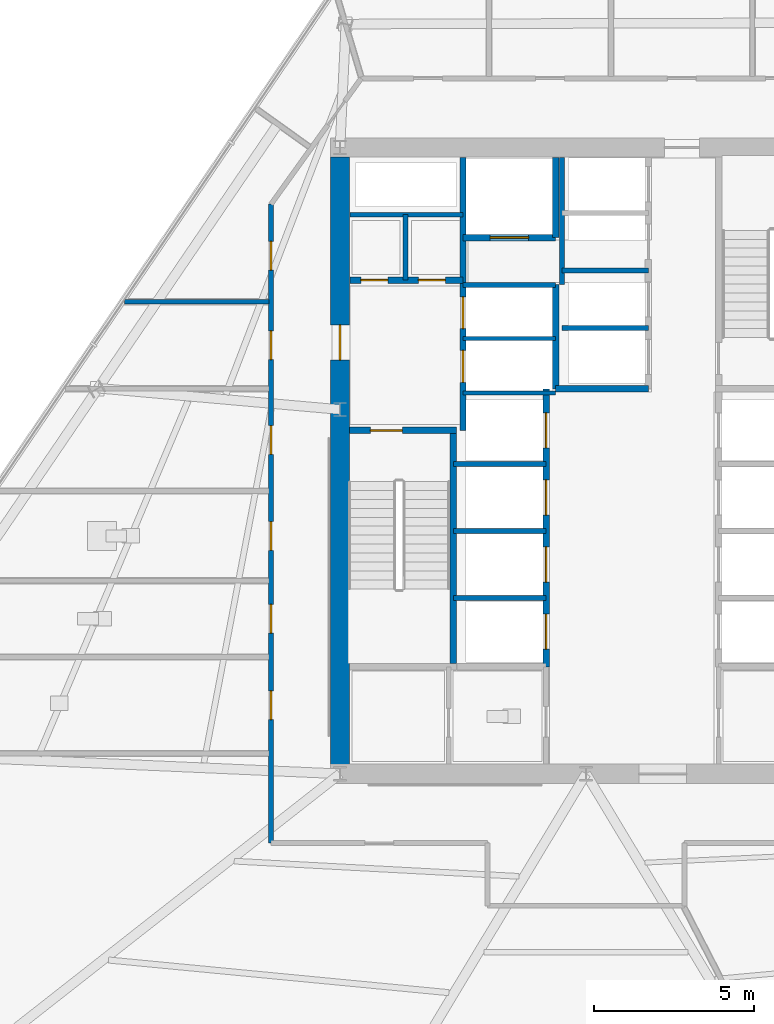
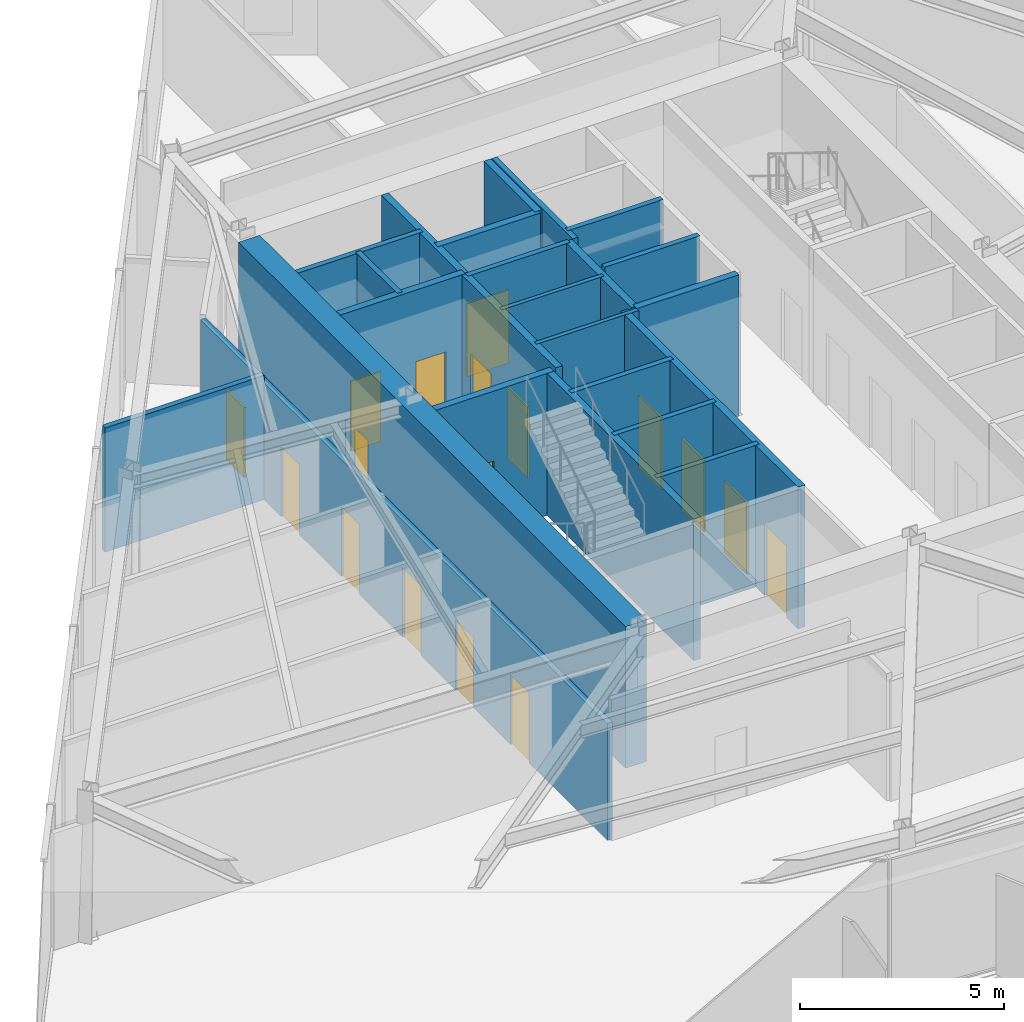
# One storey, part 7 of 14: 23 walls, 17 doors, 17 openings.
"""IFC4 building model written with IfcOpenShell, lengths in metres."""

from ifc_helpers import new_model, si_unit, direction, frame, frame_2d, origin, place, context, subcontext, project, spatial, rectangle, extrude, material, layer, layer_set, type_object, element, fill, save


model = new_model("IFC4")

# Units and contexts
model_context = context("Model", 3, precision=1e-05, world=origin(), true_north=direction((0.0, 1.0)))
body_context = subcontext(model_context, "Body", "Model", "MODEL_VIEW")
ifc_project = project(units=[si_unit("LENGTHUNIT", "METRE"), si_unit("AREAUNIT", "SQUARE_METRE"), si_unit("VOLUMEUNIT", "CUBIC_METRE"), si_unit("PLANEANGLEUNIT", "RADIAN"), si_unit("MASSUNIT", "GRAM", prefix="KILO")], contexts=[model_context])

# Site, building, storey
site_placement = place(None, origin())
site = spatial("IfcSite", under=ifc_project, at=site_placement, CompositionType="ELEMENT")
building_placement = place(site_placement, origin())
building = spatial("IfcBuilding", under=site, at=building_placement, Name="Savorim Split Tower", CompositionType="ELEMENT")
storey_placement = place(building_placement, frame((0.0, 0.0, 78.0)))
storey = spatial("IfcBuildingStorey", under=building, at=storey_placement, Name="L20", CompositionType="ELEMENT", Elevation=78.0)

# Wall, opening, door
ifc_material_1 = material(Name="Concrete C60/75", Category="concrete")
ifc_layer_1 = layer(ifc_material_1, 0.60009765625)
ifc_layer_set_1 = layer_set([ifc_layer_1], Name="WAL-COR-SH600")
wall_type_1 = type_object("IfcWallType", Name="WAL-COR-SH600", PredefinedType="SHEAR", material=ifc_layer_set_1)
wall_1_placement = place(storey_placement, frame((-7.699951171875, -9.10009765625, 0.0), z_axis=(0.0, 0.0, 1.0), x_axis=(0.0, 1.0, 0.0)))
wall_1 = element("IfcWall", 1, at=wall_1_placement, inside=storey, type_object=wall_type_1, Name="L20 Offset Core West Shear Wall", PredefinedType="SHEAR", context=body_context, shape_type="SweptSolid", body=[
    extrude(rectangle(XDim=19.0, YDim=0.60009765625, at=frame_2d((9.5, 0.0))), origin(), (0.0, 0.0, 1.0), 4.25),
])
opening_1_placement = place(wall_1_placement, frame((12.64990234375, 0.0, 0.0)))
opening_1 = element("IfcOpeningElement", 2, at=opening_1_placement, cuts=wall_1, Name="Opening DI-03", PredefinedType="OPENING", context=body_context, shape_type="SweptSolid", body=[
    extrude(rectangle(XDim=1.10009765625, YDim=2.14990234375, at=frame_2d((0.550048828125, 1.074951171875))), frame((0.0, 0.31005859375, 0.0), z_axis=(0.0, -1.0, 0.0), x_axis=(1.0, 0.0, 0.0)), (0.0, 0.0, 1.0), 0.6201171875),
])
ifc_material_2 = material(Name="Timber Fire Door Leaf", Category="wood")
door_type_1 = type_object("IfcDoorType", Name="DOR-FIR-1100", OperationType="NOTDEFINED", PredefinedType="DOOR", material=ifc_material_2)
door_1_placement = place(opening_1_placement, origin())
door_1 = element("IfcDoor", 3, at=door_1_placement, inside=storey, type_object=door_type_1, Name="DOR-L20-COR-FFLOB - L20 Firefighting Lobby Corridor Door", OperationType="SINGLE_SWING_RIGHT", OverallHeight=2.14990234375, OverallWidth=1.10009765625, PredefinedType="DOOR", context=body_context, shape_type="SweptSolid", body=[
    extrude(rectangle(XDim=1.10009765625, YDim=2.14990234375, at=frame_2d((0.550048828125, 1.074951171875))), frame((0.0, 0.02490234375, 0.0), z_axis=(0.0, -1.0, 0.0), x_axis=(1.0, 0.0, 0.0)), (0.0, 0.0, 1.0), 0.050048828125),
])
fill(opening_1, door_1)

ifc_material_3 = material(Name="Concrete C50/60", Category="concrete")
ifc_layer_2 = layer(ifc_material_3, 0.199951171875)
ifc_layer_set_2 = layer_set([ifc_layer_2], Name="WAL-INT-RC200")
wall_type_2 = type_object("IfcWallType", Name="WAL-INT-RC200", PredefinedType="SOLIDWALL", material=ifc_layer_set_2)
wall_2_placement = place(storey_placement, frame((-7.39990234375, 1.35009765625, 0.0), z_axis=(0.0, 0.0, 1.0), x_axis=(1.0, 0.0, 0.0)))
wall_2 = element("IfcWall", 4, at=wall_2_placement, inside=storey, type_object=wall_type_2, Name="L20 Structural Shaft Wall W-L20-CR01", PredefinedType="SOLIDWALL", context=body_context, shape_type="SweptSolid", body=[
    extrude(rectangle(XDim=3.349853515625, YDim=0.199951171875, at=frame_2d((1.6748046875, 0.0))), origin(), (0.0, 0.0, 1.0), 4.25),
])
opening_2_placement = place(wall_2_placement, frame((0.64990234375, 0.0, 0.0)))
opening_2 = element("IfcOpeningElement", 5, at=opening_2_placement, cuts=wall_2, Name="Opening DI-04", PredefinedType="OPENING", context=body_context, shape_type="SweptSolid", body=[
    extrude(rectangle(XDim=1.0, YDim=2.14990234375, at=frame_2d((0.5, 1.074951171875))), frame((0.0, 0.10986328125, 0.0), z_axis=(0.0, -1.0, 0.0), x_axis=(1.0, 0.0, 0.0)), (0.0, 0.0, 1.0), 0.219970703125),
])
door_type_2 = type_object("IfcDoorType", Name="DOR-FIR-1000", OperationType="NOTDEFINED", PredefinedType="DOOR", material=ifc_material_2)
door_2_placement = place(opening_2_placement, origin())
door_2 = element("IfcDoor", 6, at=door_2_placement, inside=storey, type_object=door_type_2, Name="DR-L20-ST1 - L20 Stair ST-1 Enclosure Door", OperationType="SINGLE_SWING_LEFT", OverallHeight=2.14990234375, OverallWidth=1.0, PredefinedType="DOOR", context=body_context, shape_type="SweptSolid", body=[
    extrude(rectangle(XDim=1.0, YDim=2.14990234375, at=frame_2d((0.5, 1.074951171875))), frame((0.0, 0.02490234375, 0.0), z_axis=(0.0, -1.0, 0.0), x_axis=(1.0, 0.0, 0.0)), (0.0, 0.0, 1.0), 0.050048828125),
])
fill(opening_2, door_2)

# Wall
wall_3_placement = place(storey_placement, frame((-4.14990234375, -5.949951171875, 0.0), z_axis=(0.0, 0.0, 1.0), x_axis=(0.0, 1.0, 0.0)))
element("IfcWall", 7, at=wall_3_placement, inside=storey, type_object=wall_type_2, Name="L20 Structural Shaft Wall W-L20-CR02", PredefinedType="SOLIDWALL", context=body_context, shape_type="SweptSolid", body=[
    extrude(rectangle(XDim=7.199951171875, YDim=0.199951171875, at=frame_2d((3.60009765625, 0.0))), origin(), (0.0, 0.0, 1.0), 4.25),
])

# Wall, openings, doors
wall_4_placement = place(storey_placement, frame((-3.85009765625, 1.35009765625, 0.0), z_axis=(0.0, 0.0, 1.0), x_axis=(0.0, 1.0, 0.0)))
wall_4 = element("IfcWall", 8, at=wall_4_placement, inside=storey, type_object=wall_type_2, Name="L20 Partition W-L20-CR03", PredefinedType="SOLIDWALL", context=body_context, shape_type="SweptSolid", body=[
    extrude(rectangle(XDim=8.544921875, YDim=0.199951171875, at=frame_2d((4.2724609375, 0.0))), origin(), (0.0, 0.0, 1.0), 4.25),
])
opening_3_placement = place(wall_4_placement, frame((1.5, 0.0, 0.0)))
opening_3 = element("IfcOpeningElement", 9, at=opening_3_placement, cuts=wall_4, Name="Opening LD-FFL", PredefinedType="OPENING", context=body_context, shape_type="SweptSolid", body=[
    extrude(rectangle(XDim=1.0, YDim=2.14990234375, at=frame_2d((0.5, 1.074951171875))), frame((0.0, 0.10986328125, 0.0), z_axis=(0.0, -1.0, 0.0), x_axis=(1.0, 0.0, 0.0)), (0.0, 0.0, 1.0), 0.219970703125),
])
opening_4_placement = place(wall_4_placement, frame((3.179931640625, 0.0, 0.0)))
opening_4 = element("IfcOpeningElement", 10, at=opening_4_placement, cuts=wall_4, Name="Opening LD-FFL", PredefinedType="OPENING", context=body_context, shape_type="SweptSolid", body=[
    extrude(rectangle(XDim=1.0, YDim=2.14990234375, at=frame_2d((0.5, 1.074951171875))), frame((0.0, 0.10986328125, 0.0), z_axis=(0.0, -1.0, 0.0), x_axis=(1.0, 0.0, 0.0)), (0.0, 0.0, 1.0), 0.219970703125),
])
ifc_material_4 = material(Name="Charcoal Anodised Aluminium", Category="aluminium")
door_type_3 = type_object("IfcDoorType", Name="DOR-SLD-LD1000", OperationType="NOTDEFINED", PredefinedType="DOOR", material=ifc_material_4)
door_3_placement = place(opening_3_placement, origin())
door_3 = element("IfcDoor", 11, at=door_3_placement, inside=storey, type_object=door_type_3, Name="DR-L20-LD-FFL1 - L20 Firefighting Lift FFL-1 Sliding Landing Door", OperationType="DOUBLE_DOOR_SLIDING", OverallHeight=2.14990234375, OverallWidth=1.0, PredefinedType="DOOR", context=body_context, shape_type="SweptSolid", body=[
    extrude(rectangle(XDim=1.0, YDim=2.14990234375, at=frame_2d((0.5, 1.074951171875))), frame((0.0, 0.02490234375, 0.0), z_axis=(0.0, -1.0, 0.0), x_axis=(1.0, 0.0, 0.0)), (0.0, 0.0, 1.0), 0.050048828125),
])
fill(opening_3, door_3)
door_4_placement = place(opening_4_placement, origin())
door_4 = element("IfcDoor", 12, at=door_4_placement, inside=storey, type_object=door_type_3, Name="DR-L20-LD-FFL2 - L20 Firefighting Lift FFL-2 Sliding Landing Door", OperationType="DOUBLE_DOOR_SLIDING", OverallHeight=2.14990234375, OverallWidth=1.0, PredefinedType="DOOR", context=body_context, shape_type="SweptSolid", body=[
    extrude(rectangle(XDim=1.0, YDim=2.14990234375, at=frame_2d((0.5, 1.074951171875))), frame((0.0, 0.02490234375, 0.0), z_axis=(0.0, -1.0, 0.0), x_axis=(1.0, 0.0, 0.0)), (0.0, 0.0, 1.0), 0.050048828125),
])
fill(opening_4, door_4)

wall_5_placement = place(storey_placement, frame((-7.39501953125, 6.050048828125, 0.0), z_axis=(0.0, 0.0, 1.0), x_axis=(1.0, 0.0, 0.0)))
wall_5 = element("IfcWall", 13, at=wall_5_placement, inside=storey, type_object=wall_type_2, Name="L20 Partition W-L20-CR04", PredefinedType="SOLIDWALL", context=body_context, shape_type="SweptSolid", body=[
    extrude(rectangle(XDim=3.544921875, YDim=0.199951171875, at=frame_2d((1.7724609375, 0.0))), origin(), (0.0, 0.0, 1.0), 4.25),
])
opening_5_placement = place(wall_5_placement, frame((0.344970703125, 0.0, 0.0)))
opening_5 = element("IfcOpeningElement", 14, at=opening_5_placement, cuts=wall_5, Name="Opening DI-12", PredefinedType="OPENING", context=body_context, shape_type="SweptSolid", body=[
    extrude(rectangle(XDim=0.85009765625, YDim=2.10009765625, at=frame_2d((0.425048828125, 1.050048828125))), frame((0.0, 0.10986328125, 0.0), z_axis=(0.0, -1.0, 0.0), x_axis=(1.0, 0.0, 0.0)), (0.0, 0.0, 1.0), 0.219970703125),
])
opening_6_placement = place(wall_5_placement, frame((2.14501953125, 0.0, 0.0)))
opening_6 = element("IfcOpeningElement", 15, at=opening_6_placement, cuts=wall_5, Name="Opening DI-12", PredefinedType="OPENING", context=body_context, shape_type="SweptSolid", body=[
    extrude(rectangle(XDim=0.85009765625, YDim=2.10009765625, at=frame_2d((0.425048828125, 1.050048828125))), frame((0.0, 0.10986328125, 0.0), z_axis=(0.0, -1.0, 0.0), x_axis=(1.0, 0.0, 0.0)), (0.0, 0.0, 1.0), 0.219970703125),
])
ifc_material_5 = material(Name="Galvanised Painted Steel Balustrade", Category="steel")
door_type_4 = type_object("IfcDoorType", Name="DOR-RIS-850", OperationType="NOTDEFINED", PredefinedType="DOOR", material=ifc_material_5)
door_5_placement = place(opening_5_placement, origin())
door_5 = element("IfcDoor", 16, at=door_5_placement, inside=storey, type_object=door_type_4, Name="DR-L20-ELR - L20 Electrical Riser Access Door", OperationType="SINGLE_SWING_RIGHT", OverallHeight=2.10009765625, OverallWidth=0.85009765625, PredefinedType="DOOR", context=body_context, shape_type="SweptSolid", body=[
    extrude(rectangle(XDim=0.85009765625, YDim=2.10009765625, at=frame_2d((0.425048828125, 1.050048828125))), frame((0.0, 0.02490234375, 0.0), z_axis=(0.0, -1.0, 0.0), x_axis=(1.0, 0.0, 0.0)), (0.0, 0.0, 1.0), 0.050048828125),
])
fill(opening_5, door_5)
door_6_placement = place(opening_6_placement, origin())
door_6 = element("IfcDoor", 17, at=door_6_placement, inside=storey, type_object=door_type_4, Name="DR-L20-TLR - L20 Telecom Riser Access Door", OperationType="SINGLE_SWING_LEFT", OverallHeight=2.10009765625, OverallWidth=0.85009765625, PredefinedType="DOOR", context=body_context, shape_type="SweptSolid", body=[
    extrude(rectangle(XDim=0.85009765625, YDim=2.10009765625, at=frame_2d((0.425048828125, 1.050048828125))), frame((0.0, 0.02490234375, 0.0), z_axis=(0.0, -1.0, 0.0), x_axis=(1.0, 0.0, 0.0)), (0.0, 0.0, 1.0), 0.050048828125),
])
fill(opening_6, door_6)

# Wall
wall_6_placement = place(storey_placement, frame((-0.949951171875, 2.64990234375, 0.0), z_axis=(0.0, 0.0, 1.0), x_axis=(0.0, 1.0, 0.0)))
element("IfcWall", 18, at=wall_6_placement, inside=storey, type_object=wall_type_2, Name="L20 Partition W-L20-FFLW", PredefinedType="SOLIDWALL", context=body_context, shape_type="SweptSolid", body=[
    extrude(rectangle(XDim=3.27001953125, YDim=0.199951171875, at=frame_2d((1.635009765625, 0.0))), origin(), (0.0, 0.0, 1.0), 4.25),
])

# Wall, opening, door
wall_7_placement = place(storey_placement, frame((-3.85009765625, 7.3798828125, 0.0), z_axis=(0.0, 0.0, 1.0), x_axis=(1.0, 0.0, 0.0)))
wall_7 = element("IfcWall", 19, at=wall_7_placement, inside=storey, type_object=wall_type_2, Name="L20 Partition W-L20-SVLS", PredefinedType="SOLIDWALL", context=body_context, shape_type="SweptSolid", body=[
    extrude(rectangle(XDim=2.900146484375, YDim=0.199951171875, at=frame_2d((1.4501953125, 0.0))), origin(), (0.0, 0.0, 1.0), 4.25),
])
opening_7_placement = place(wall_7_placement, frame((0.85009765625, 0.0, 0.0)))
opening_7 = element("IfcOpeningElement", 20, at=opening_7_placement, cuts=wall_7, Name="Opening LD-SV", PredefinedType="OPENING", context=body_context, shape_type="SweptSolid", body=[
    extrude(rectangle(XDim=1.199951171875, YDim=2.199951171875, at=frame_2d((0.60009765625, 1.10009765625))), frame((0.0, 0.10986328125, 0.0), z_axis=(0.0, -1.0, 0.0), x_axis=(1.0, 0.0, 0.0)), (0.0, 0.0, 1.0), 0.219970703125),
])
door_type_5 = type_object("IfcDoorType", Name="DOR-SLD-SV1200", OperationType="NOTDEFINED", PredefinedType="DOOR", material=ifc_material_4)
door_7_placement = place(opening_7_placement, origin())
door_7 = element("IfcDoor", 21, at=door_7_placement, inside=storey, type_object=door_type_5, Name="DR-L20-LD-SVL1 - L20 Service Lift SVL-1 Sliding Landing Door", OperationType="DOUBLE_DOOR_SLIDING", OverallHeight=2.199951171875, OverallWidth=1.199951171875, PredefinedType="DOOR", context=body_context, shape_type="SweptSolid", body=[
    extrude(rectangle(XDim=1.199951171875, YDim=2.199951171875, at=frame_2d((0.60009765625, 1.10009765625))), frame((0.0, 0.02490234375, 0.0), z_axis=(0.0, -1.0, 0.0), x_axis=(1.0, 0.0, 0.0)), (0.0, 0.0, 1.0), 0.050048828125),
])
fill(opening_7, door_7)

# Wall
wall_8_placement = place(storey_placement, frame((-0.949951171875, 7.3798828125, 0.0), z_axis=(0.0, 0.0, 1.0), x_axis=(0.0, 1.0, 0.0)))
element("IfcWall", 22, at=wall_8_placement, inside=storey, type_object=wall_type_2, Name="L20 Partition W-L20-SVLE", PredefinedType="SOLIDWALL", context=body_context, shape_type="SweptSolid", body=[
    extrude(rectangle(XDim=2.51513671875, YDim=0.199951171875, at=frame_2d((1.257568359375, 0.0))), origin(), (0.0, 0.0, 1.0), 4.25),
])

# Wall, openings, doors
wall_9_placement = place(storey_placement, frame((-1.25, -6.050048828125, 0.0), z_axis=(0.0, 0.0, 1.0), x_axis=(0.0, 1.0, 0.0)))
wall_9 = element("IfcWall", 23, at=wall_9_placement, inside=storey, type_object=wall_type_2, Name="L20 Partition W-L20-B2FRONT", PredefinedType="SOLIDWALL", context=body_context, shape_type="SweptSolid", body=[
    extrude(rectangle(XDim=8.699951171875, YDim=0.199951171875, at=frame_2d((4.35009765625, 0.0))), origin(), (0.0, 0.0, 1.0), 4.25),
])
opening_8_placement = place(wall_9_placement, frame((0.550048828125, 0.0, 0.0)))
opening_8 = element("IfcOpeningElement", 24, at=opening_8_placement, cuts=wall_9, Name="Opening LD-02", PredefinedType="OPENING", context=body_context, shape_type="SweptSolid", body=[
    extrude(rectangle(XDim=1.10009765625, YDim=2.14990234375, at=frame_2d((0.550048828125, 1.074951171875))), frame((0.0, 0.10986328125, 0.0), z_axis=(0.0, -1.0, 0.0), x_axis=(1.0, 0.0, 0.0)), (0.0, 0.0, 1.0), 0.219970703125),
])
opening_9_placement = place(wall_9_placement, frame((2.64990234375, 0.0, 0.0)))
opening_9 = element("IfcOpeningElement", 25, at=opening_9_placement, cuts=wall_9, Name="Opening LD-02", PredefinedType="OPENING", context=body_context, shape_type="SweptSolid", body=[
    extrude(rectangle(XDim=1.10009765625, YDim=2.14990234375, at=frame_2d((0.550048828125, 1.074951171875))), frame((0.0, 0.10986328125, 0.0), z_axis=(0.0, -1.0, 0.0), x_axis=(1.0, 0.0, 0.0)), (0.0, 0.0, 1.0), 0.219970703125),
])
opening_10_placement = place(wall_9_placement, frame((4.75, 0.0, 0.0)))
opening_10 = element("IfcOpeningElement", 26, at=opening_10_placement, cuts=wall_9, Name="Opening LD-02", PredefinedType="OPENING", context=body_context, shape_type="SweptSolid", body=[
    extrude(rectangle(XDim=1.10009765625, YDim=2.14990234375, at=frame_2d((0.550048828125, 1.074951171875))), frame((0.0, 0.10986328125, 0.0), z_axis=(0.0, -1.0, 0.0), x_axis=(1.0, 0.0, 0.0)), (0.0, 0.0, 1.0), 0.219970703125),
])
opening_11_placement = place(wall_9_placement, frame((6.85009765625, 0.0, 0.0)))
opening_11 = element("IfcOpeningElement", 27, at=opening_11_placement, cuts=wall_9, Name="Opening LD-02", PredefinedType="OPENING", context=body_context, shape_type="SweptSolid", body=[
    extrude(rectangle(XDim=1.10009765625, YDim=2.14990234375, at=frame_2d((0.550048828125, 1.074951171875))), frame((0.0, 0.10986328125, 0.0), z_axis=(0.0, -1.0, 0.0), x_axis=(1.0, 0.0, 0.0)), (0.0, 0.0, 1.0), 0.219970703125),
])
door_type_6 = type_object("IfcDoorType", Name="DOR-SLD-LDM1100", OperationType="NOTDEFINED", PredefinedType="DOOR", material=ifc_material_4)
door_8_placement = place(opening_8_placement, origin())
door_8 = element("IfcDoor", 28, at=door_8_placement, inside=storey, type_object=door_type_6, Name="DR-L20-LD-PLM1 - L20 Lift PL-M1 Sliding Landing Door", OperationType="DOUBLE_DOOR_SLIDING", OverallHeight=2.14990234375, OverallWidth=1.10009765625, PredefinedType="DOOR", context=body_context, shape_type="SweptSolid", body=[
    extrude(rectangle(XDim=1.10009765625, YDim=2.14990234375, at=frame_2d((0.550048828125, 1.074951171875))), frame((0.0, 0.02490234375, 0.0), z_axis=(0.0, -1.0, 0.0), x_axis=(1.0, 0.0, 0.0)), (0.0, 0.0, 1.0), 0.050048828125),
])
fill(opening_8, door_8)
door_9_placement = place(opening_9_placement, origin())
door_9 = element("IfcDoor", 29, at=door_9_placement, inside=storey, type_object=door_type_6, Name="DR-L20-LD-PLM2 - L20 Lift PL-M2 Sliding Landing Door", OperationType="DOUBLE_DOOR_SLIDING", OverallHeight=2.14990234375, OverallWidth=1.10009765625, PredefinedType="DOOR", context=body_context, shape_type="SweptSolid", body=[
    extrude(rectangle(XDim=1.10009765625, YDim=2.14990234375, at=frame_2d((0.550048828125, 1.074951171875))), frame((0.0, 0.02490234375, 0.0), z_axis=(0.0, -1.0, 0.0), x_axis=(1.0, 0.0, 0.0)), (0.0, 0.0, 1.0), 0.050048828125),
])
fill(opening_9, door_9)
door_10_placement = place(opening_10_placement, origin())
door_10 = element("IfcDoor", 30, at=door_10_placement, inside=storey, type_object=door_type_6, Name="DR-L20-LD-PLM3 - L20 Lift PL-M3 Sliding Landing Door", OperationType="DOUBLE_DOOR_SLIDING", OverallHeight=2.14990234375, OverallWidth=1.10009765625, PredefinedType="DOOR", context=body_context, shape_type="SweptSolid", body=[
    extrude(rectangle(XDim=1.10009765625, YDim=2.14990234375, at=frame_2d((0.550048828125, 1.074951171875))), frame((0.0, 0.02490234375, 0.0), z_axis=(0.0, -1.0, 0.0), x_axis=(1.0, 0.0, 0.0)), (0.0, 0.0, 1.0), 0.050048828125),
])
fill(opening_10, door_10)
door_11_placement = place(opening_11_placement, origin())
door_11 = element("IfcDoor", 31, at=door_11_placement, inside=storey, type_object=door_type_6, Name="DR-L20-LD-PLM4 - L20 Lift PL-M4 Sliding Landing Door", OperationType="DOUBLE_DOOR_SLIDING", OverallHeight=2.14990234375, OverallWidth=1.10009765625, PredefinedType="DOOR", context=body_context, shape_type="SweptSolid", body=[
    extrude(rectangle(XDim=1.10009765625, YDim=2.14990234375, at=frame_2d((0.550048828125, 1.074951171875))), frame((0.0, 0.02490234375, 0.0), z_axis=(0.0, -1.0, 0.0), x_axis=(1.0, 0.0, 0.0)), (0.0, 0.0, 1.0), 0.050048828125),
])
fill(opening_11, door_11)

# Walls
wall_10_placement = place(storey_placement, frame((-0.949951171875, 2.64990234375, 0.0), z_axis=(0.0, 0.0, 1.0), x_axis=(1.0, 0.0, 0.0)))
element("IfcWall", 32, at=wall_10_placement, inside=storey, type_object=wall_type_2, Name="L20 Partition W-L20-B3SOUTH", PredefinedType="SOLIDWALL", context=body_context, shape_type="SweptSolid", body=[
    extrude(rectangle(XDim=2.89990234375, YDim=0.199951171875, at=frame_2d((1.449951171875, 0.0))), origin(), (0.0, 0.0, 1.0), 4.25),
])
ifc_material_6 = material(Name="Acoustic Gypsum Partition Board")
ifc_layer_3 = layer(ifc_material_6, 0.1201171875)
ifc_layer_set_3 = layer_set([ifc_layer_3], Name="WAL-PAR-120")
wall_type_3 = type_object("IfcWallType", Name="WAL-PAR-120", PredefinedType="PARTITIONING", material=ifc_layer_set_3)
for number, where, z_axis, x_axis, name in (
    (33, (-3.85009765625, 2.52001953125, 0.0), (0.0, 0.0, 1.0), (1.0, 0.0, 0.0), "L20 Partition W-L20-FFLD0"),
    (34, (-3.85009765625, 4.219970703125, 0.0), (0.0, 0.0, 1.0), (1.0, 0.0, 0.0), "L20 Partition W-L20-FFLD1"),
):
    element("IfcWall", number, at=place(storey_placement, frame(where, z_axis=z_axis, x_axis=x_axis)), inside=storey, type_object=wall_type_3, Name=name, PredefinedType="PARTITIONING", context=body_context, shape_type="SweptSolid", body=[
        extrude(rectangle(XDim=2.900146484375, YDim=0.1201171875, at=frame_2d((1.4501953125, 0.0))), origin(), (0.0, 0.0, 1.0), 4.25),
    ])
ifc_layer_4 = layer(ifc_material_6, 0.14990234375)
ifc_layer_set_4 = layer_set([ifc_layer_4], Name="WAL-PAR-150")
wall_type_4 = type_object("IfcWallType", Name="WAL-PAR-150", PredefinedType="PARTITIONING", material=ifc_layer_set_4)
wall_11_placement = place(storey_placement, frame((-7.39501953125, 8.10009765625, 0.0), z_axis=(0.0, 0.0, 1.0), x_axis=(1.0, 0.0, 0.0)))
element("IfcWall", 35, at=wall_11_placement, inside=storey, type_object=wall_type_4, Name="L20 Partition W-L20-CR05", PredefinedType="PARTITIONING", context=body_context, shape_type="SweptSolid", body=[
    extrude(rectangle(XDim=3.544921875, YDim=0.14990234375, at=frame_2d((1.7724609375, 0.0))), origin(), (0.0, 0.0, 1.0), 4.25),
])
wall_12_placement = place(storey_placement, frame((-5.64990234375, 6.050048828125, 0.0), z_axis=(0.0, 0.0, 1.0), x_axis=(0.0, 1.0, 0.0)))
element("IfcWall", 36, at=wall_12_placement, inside=storey, type_object=wall_type_4, Name="L20 Partition W-L20-CR06", PredefinedType="PARTITIONING", context=body_context, shape_type="SweptSolid", body=[
    extrude(rectangle(XDim=2.050048828125, YDim=0.14990234375, at=frame_2d((1.02490234375, 0.0))), origin(), (0.0, 0.0, 1.0), 4.25),
])
wall_13_placement = place(storey_placement, frame((-3.85009765625, 5.89990234375, 0.0), z_axis=(0.0, 0.0, 1.0), x_axis=(1.0, 0.0, 0.0)))
element("IfcWall", 37, at=wall_13_placement, inside=storey, type_object=wall_type_4, Name="L20 Partition W-L20-FFLD2", PredefinedType="PARTITIONING", context=body_context, shape_type="SweptSolid", body=[
    extrude(rectangle(XDim=2.900146484375, YDim=0.14990234375, at=frame_2d((1.4501953125, 0.0))), origin(), (0.0, 0.0, 1.0), 4.25),
])
for number, where, z_axis, x_axis, name in (
    (38, (-4.14990234375, -3.89990234375, 0.0), (0.0, 0.0, 1.0), (1.0, 0.0, 0.0), "L20 Partition W-L20-B2DIV1"),
    (39, (-4.14990234375, -1.800048828125, 0.0), (0.0, 0.0, 1.0), (1.0, 0.0, 0.0), "L20 Partition W-L20-B2DIV2"),
    (40, (-4.14990234375, 0.300048828125, 0.0), (0.0, 0.0, 1.0), (1.0, 0.0, 0.0), "L20 Partition W-L20-B2DIV3"),
):
    element("IfcWall", number, at=place(storey_placement, frame(where, z_axis=z_axis, x_axis=x_axis)), inside=storey, type_object=wall_type_4, Name=name, PredefinedType="PARTITIONING", context=body_context, shape_type="SweptSolid", body=[
        extrude(rectangle(XDim=2.89990234375, YDim=0.14990234375, at=frame_2d((1.449951171875, 0.0))), origin(), (0.0, 0.0, 1.0), 4.25),
    ])
wall_14_placement = place(storey_placement, frame((-0.75, 5.919921875, 0.0), z_axis=(0.0, 0.0, 1.0), x_axis=(0.0, 1.0, 0.0)))
element("IfcWall", 41, at=wall_14_placement, inside=storey, type_object=wall_type_4, Name="L20 Partition W-L20-B3WEST", PredefinedType="PARTITIONING", context=body_context, shape_type="SweptSolid", body=[
    extrude(rectangle(XDim=3.97509765625, YDim=0.14990234375, at=frame_2d((1.987548828125, 0.0))), origin(), (0.0, 0.0, 1.0), 4.25),
])
for number, where, z_axis, x_axis, name in (
    (42, (-0.75, 4.550048828125, 0.0), (0.0, 0.0, 1.0), (1.0, 0.0, 0.0), "L20 Partition W-L20-B3DIV1"),
    (43, (-0.75, 6.35009765625, 0.0), (0.0, 0.0, 1.0), (1.0, 0.0, 0.0), "L20 Partition W-L20-B3DIV2"),
):
    element("IfcWall", number, at=place(storey_placement, frame(where, z_axis=z_axis, x_axis=x_axis)), inside=storey, type_object=wall_type_4, Name=name, PredefinedType="PARTITIONING", context=body_context, shape_type="SweptSolid", body=[
        extrude(rectangle(XDim=2.699951171875, YDim=0.14990234375, at=frame_2d((1.35009765625, 0.0))), origin(), (0.0, 0.0, 1.0), 4.25),
    ])

# Wall, openings, doors
wall_15_placement = place(storey_placement, frame((-9.860107421875, -11.56005859375, 0.0), z_axis=(0.0, 0.0, 1.0), x_axis=(0.0, 1.0, 0.0)))
wall_15 = element("IfcWall", 44, at=wall_15_placement, inside=storey, type_object=wall_type_4, Name="L20 Partition W-L20-COR-01", PredefinedType="PARTITIONING", context=body_context, shape_type="SweptSolid", body=[
    extrude(rectangle(XDim=19.98583984375, YDim=0.14990234375, at=frame_2d((9.992919921875, 0.0))), origin(), (0.0, 0.0, 1.0), 3.509033203125),
])
opening_12_placement = place(wall_15_placement, frame((9.156005859375, 0.0, 0.0)))
opening_12 = element("IfcOpeningElement", 45, at=opening_12_placement, cuts=wall_15, Name="Opening DI-11", PredefinedType="OPENING", context=body_context, shape_type="SweptSolid", body=[
    extrude(rectangle(XDim=0.89990234375, YDim=2.10009765625, at=frame_2d((0.449951171875, 1.050048828125))), frame((0.0, 0.0849609375, 0.0), z_axis=(0.0, -1.0, 0.0), x_axis=(1.0, 0.0, 0.0)), (0.0, 0.0, 1.0), 0.169921875),
])
opening_13_placement = place(wall_15_placement, frame((6.561767578125, 0.0, 0.0)))
opening_13 = element("IfcOpeningElement", 46, at=opening_13_placement, cuts=wall_15, Name="Opening DI-11", PredefinedType="OPENING", context=body_context, shape_type="SweptSolid", body=[
    extrude(rectangle(XDim=0.89990234375, YDim=2.10009765625, at=frame_2d((0.449951171875, 1.050048828125))), frame((0.0, 0.0849609375, 0.0), z_axis=(0.0, -1.0, 0.0), x_axis=(1.0, 0.0, 0.0)), (0.0, 0.0, 1.0), 0.169921875),
])
opening_14_placement = place(wall_15_placement, frame((3.857421875, 0.0, 0.0)))
opening_14 = element("IfcOpeningElement", 47, at=opening_14_placement, cuts=wall_15, Name="Opening DI-06", PredefinedType="OPENING", context=body_context, shape_type="SweptSolid", body=[
    extrude(rectangle(XDim=0.89990234375, YDim=2.10009765625, at=frame_2d((0.449951171875, 1.050048828125))), frame((0.0, 0.0849609375, 0.0), z_axis=(0.0, -1.0, 0.0), x_axis=(1.0, 0.0, 0.0)), (0.0, 0.0, 1.0), 0.169921875),
])
opening_15_placement = place(wall_15_placement, frame((17.92041015625, 0.0, 0.0)))
opening_15 = element("IfcOpeningElement", 48, at=opening_15_placement, cuts=wall_15, Name="Opening DI-06", PredefinedType="OPENING", context=body_context, shape_type="SweptSolid", body=[
    extrude(rectangle(XDim=0.89990234375, YDim=2.10009765625, at=frame_2d((0.449951171875, 1.050048828125))), frame((0.0, 0.0849609375, 0.0), z_axis=(0.0, -1.0, 0.0), x_axis=(1.0, 0.0, 0.0)), (0.0, 0.0, 1.0), 0.169921875),
])
opening_16_placement = place(wall_15_placement, frame((15.122802734375, 0.0, 0.0)))
opening_16 = element("IfcOpeningElement", 49, at=opening_16_placement, cuts=wall_15, Name="Opening DI-06", PredefinedType="OPENING", context=body_context, shape_type="SweptSolid", body=[
    extrude(rectangle(XDim=0.89990234375, YDim=2.10009765625, at=frame_2d((0.449951171875, 1.050048828125))), frame((0.0, 0.0849609375, 0.0), z_axis=(0.0, -1.0, 0.0), x_axis=(1.0, 0.0, 0.0)), (0.0, 0.0, 1.0), 0.169921875),
])
opening_17_placement = place(wall_15_placement, frame((12.16015625, 0.0, 0.0)))
opening_17 = element("IfcOpeningElement", 50, at=opening_17_placement, cuts=wall_15, Name="Opening DI-06", PredefinedType="OPENING", context=body_context, shape_type="SweptSolid", body=[
    extrude(rectangle(XDim=0.89990234375, YDim=2.10009765625, at=frame_2d((0.449951171875, 1.050048828125))), frame((0.0, 0.0849609375, 0.0), z_axis=(0.0, -1.0, 0.0), x_axis=(1.0, 0.0, 0.0)), (0.0, 0.0, 1.0), 0.169921875),
])
door_type_7 = type_object("IfcDoorType", Name="DOR-FIR-900", OperationType="NOTDEFINED", PredefinedType="DOOR", material=ifc_material_2)
door_12_placement = place(opening_14_placement, origin())
door_12 = element("IfcDoor", 51, at=door_12_placement, inside=storey, type_object=door_type_7, Name="DR-L20-RM03 - L20 Communal Kitchen Entry Door", OperationType="SINGLE_SWING_RIGHT", OverallHeight=2.10009765625, OverallWidth=0.89990234375, PredefinedType="DOOR", context=body_context, shape_type="SweptSolid", body=[
    extrude(rectangle(XDim=0.89990234375, YDim=2.10009765625, at=frame_2d((0.449951171875, 1.050048828125))), frame((0.0, 0.02490234375, 0.0), z_axis=(0.0, -1.0, 0.0), x_axis=(1.0, 0.0, 0.0)), (0.0, 0.0, 1.0), 0.050048828125),
])
fill(opening_14, door_12)
door_13_placement = place(opening_15_placement, origin())
door_13 = element("IfcDoor", 52, at=door_13_placement, inside=storey, type_object=door_type_7, Name="DR-L20-RM12 - L20 Quiet Study Room Entry Door", OperationType="SINGLE_SWING_LEFT", OverallHeight=2.10009765625, OverallWidth=0.89990234375, PredefinedType="DOOR", context=body_context, shape_type="SweptSolid", body=[
    extrude(rectangle(XDim=0.89990234375, YDim=2.10009765625, at=frame_2d((0.449951171875, 1.050048828125))), frame((0.0, 0.02490234375, 0.0), z_axis=(0.0, -1.0, 0.0), x_axis=(1.0, 0.0, 0.0)), (0.0, 0.0, 1.0), 0.050048828125),
])
fill(opening_15, door_13)
door_14_placement = place(opening_16_placement, origin())
door_14 = element("IfcDoor", 53, at=door_14_placement, inside=storey, type_object=door_type_7, Name="DR-L20-RM13 - L20 Co-Working Commons Entry Door", OperationType="SINGLE_SWING_RIGHT", OverallHeight=2.10009765625, OverallWidth=0.89990234375, PredefinedType="DOOR", context=body_context, shape_type="SweptSolid", body=[
    extrude(rectangle(XDim=0.89990234375, YDim=2.10009765625, at=frame_2d((0.449951171875, 1.050048828125))), frame((0.0, 0.02490234375, 0.0), z_axis=(0.0, -1.0, 0.0), x_axis=(1.0, 0.0, 0.0)), (0.0, 0.0, 1.0), 0.050048828125),
])
fill(opening_16, door_14)
door_15_placement = place(opening_17_placement, origin())
door_15 = element("IfcDoor", 54, at=door_15_placement, inside=storey, type_object=door_type_7, Name="DR-L20-RM14 - L20 Sky Lobby Entry Door", OperationType="SINGLE_SWING_LEFT", OverallHeight=2.10009765625, OverallWidth=0.89990234375, PredefinedType="DOOR", context=body_context, shape_type="SweptSolid", body=[
    extrude(rectangle(XDim=0.89990234375, YDim=2.10009765625, at=frame_2d((0.449951171875, 1.050048828125))), frame((0.0, 0.02490234375, 0.0), z_axis=(0.0, -1.0, 0.0), x_axis=(1.0, 0.0, 0.0)), (0.0, 0.0, 1.0), 0.050048828125),
])
fill(opening_17, door_15)
ifc_material_7 = material(Name="Oak Veneer Acoustic Door")
door_type_8 = type_object("IfcDoorType", Name="DOR-WC-900", OperationType="NOTDEFINED", PredefinedType="DOOR", material=ifc_material_7)
door_16_placement = place(opening_12_placement, origin())
door_16 = element("IfcDoor", 55, at=door_16_placement, inside=storey, type_object=door_type_8, Name="DR-L20-RM01 - L20 Shared Bathroom Entry Door", OperationType="SINGLE_SWING_RIGHT", OverallHeight=2.10009765625, OverallWidth=0.89990234375, PredefinedType="DOOR", context=body_context, shape_type="SweptSolid", body=[
    extrude(rectangle(XDim=0.89990234375, YDim=2.10009765625, at=frame_2d((0.449951171875, 1.050048828125))), frame((0.0, 0.02490234375, 0.0), z_axis=(0.0, -1.0, 0.0), x_axis=(1.0, 0.0, 0.0)), (0.0, 0.0, 1.0), 0.050048828125),
])
fill(opening_12, door_16)
door_17_placement = place(opening_13_placement, origin())
door_17 = element("IfcDoor", 56, at=door_17_placement, inside=storey, type_object=door_type_8, Name="DR-L20-RM02 - L20 Accessible WC Entry Door", OperationType="SINGLE_SWING_LEFT", OverallHeight=2.10009765625, OverallWidth=0.89990234375, PredefinedType="DOOR", context=body_context, shape_type="SweptSolid", body=[
    extrude(rectangle(XDim=0.89990234375, YDim=2.10009765625, at=frame_2d((0.449951171875, 1.050048828125))), frame((0.0, 0.02490234375, 0.0), z_axis=(0.0, -1.0, 0.0), x_axis=(1.0, 0.0, 0.0)), (0.0, 0.0, 1.0), 0.050048828125),
])
fill(opening_13, door_17)

# Wall
wall_16_placement = place(storey_placement, frame((-9.919921875, 5.37353515625, 0.0), z_axis=(0.0, 0.0, 1.0), x_axis=(-1.0, 0.0, 0.0)))
element("IfcWall", 57, at=wall_16_placement, inside=storey, type_object=wall_type_4, Name="L20 Partition W-L20-SLSUB08", PredefinedType="PARTITIONING", context=body_context, shape_type="SweptSolid", body=[
    extrude(rectangle(XDim=4.517333984375, YDim=0.14990234375, at=frame_2d((2.2587890625, 0.0))), origin(), (0.0, 0.0, 1.0), 3.72509765625),
])

save(model, "model.ifc")
